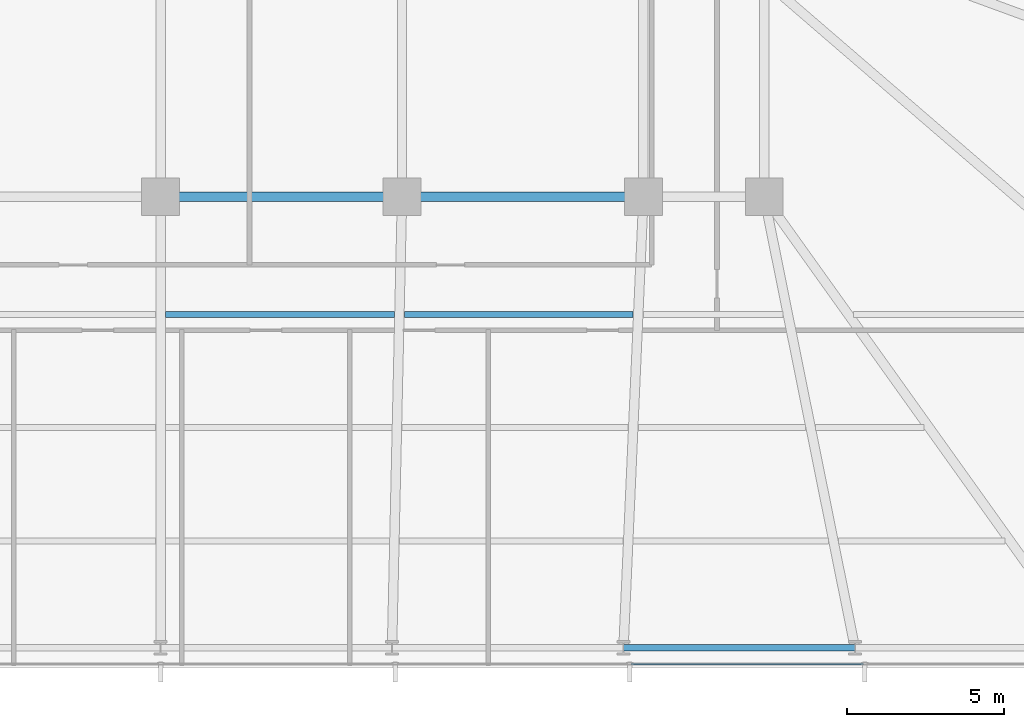
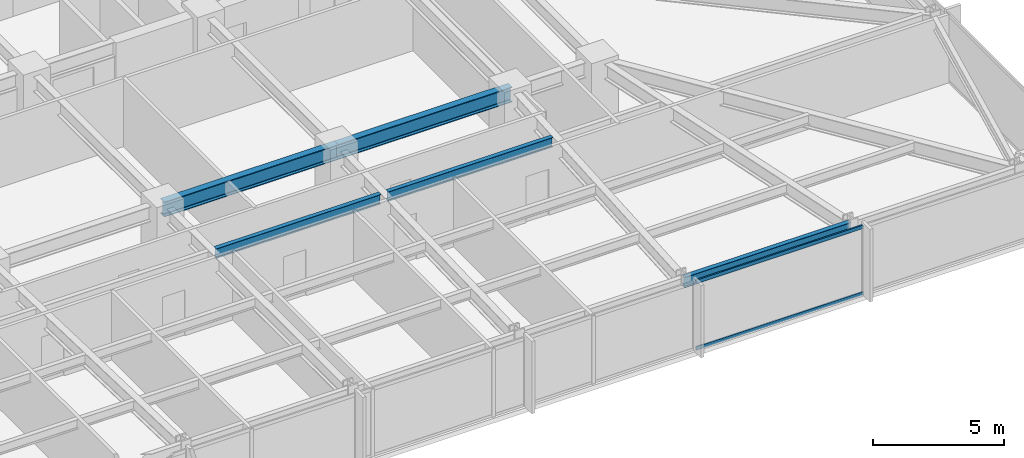
# One storey, part 13 of 32: 5 beams, 2 members, 1 element without a shape of its own.
"""IFC4 building model written with IfcOpenShell, lengths in metres."""

from ifc_helpers import new_model, si_unit, direction, frame, origin, origin_2d, place, context, subcontext, project, spatial, hollow_rectangle, i_section, extrude, material, material_profile, profile_set, type_object, element, aggregate, save


model = new_model("IFC4")

# Units and contexts
model_context = context("Model", 3, precision=1e-05, world=origin(), true_north=direction((0.0, 1.0)))
body_context = subcontext(model_context, "Body", "Model", "MODEL_VIEW")
ifc_project = project(units=[si_unit("LENGTHUNIT", "METRE"), si_unit("AREAUNIT", "SQUARE_METRE"), si_unit("VOLUMEUNIT", "CUBIC_METRE"), si_unit("PLANEANGLEUNIT", "RADIAN"), si_unit("MASSUNIT", "GRAM", prefix="KILO")], contexts=[model_context])

# Site, building, storey
site_placement = place(None, origin())
site = spatial("IfcSite", under=ifc_project, at=site_placement, CompositionType="ELEMENT")
building_placement = place(site_placement, origin())
building = spatial("IfcBuilding", under=site, at=building_placement, Name="Yelkora Congress Tower", CompositionType="ELEMENT")
storey_placement = place(building_placement, frame((0.0, 0.0, 40.60009765625)))
storey = spatial("IfcBuildingStorey", under=building, at=storey_placement, Name="L09", CompositionType="ELEMENT", Elevation=40.60009765625)

# Beams
ifc_material_1 = material(Name="Steel S355J2", Category="steel")
ifc_material_profile_1 = material_profile(ifc_material_1, i_section(OverallWidth=0.300048828125, OverallDepth=0.699951171875, WebThickness=0.01708984375, FlangeThickness=0.031982421875, FilletRadius=0.027099609375, at=origin_2d()), Name="HEB 700")
ifc_profile_set_1 = profile_set([ifc_material_profile_1], Name="Steel S355J2")
beam_type_1 = type_object("IfcBeamType", Name="BM-GIRD-HEB700", PredefinedType="BEAM", material=ifc_profile_set_1)
beam_1_placement = place(storey_placement, frame((38.39990234375, 25.199951171875, 2.829833984375), z_axis=(1.0, 0.0, 0.0), x_axis=(0.0, 1.0, 0.0)))
element("IfcBeam", 1, at=beam_1_placement, inside=storey, type_object=beam_type_1, Name="L09 Spine Grid D Girder 4", PredefinedType="BEAM", context=body_context, shape_type="SweptSolid", body=[
    extrude(i_section(OverallWidth=0.300048828125, OverallDepth=0.699951171875, WebThickness=0.01708984375, FlangeThickness=0.031982421875, FilletRadius=0.027099609375, at=origin_2d()), origin(), (0.0, 0.0, 1.0), 7.68017578125),
])
beam_2_placement = place(storey_placement, frame((46.080078125, 25.199951171875, 2.829833984375), z_axis=(1.0, 0.0, 0.0), x_axis=(0.0, 1.0, 0.0)))
element("IfcBeam", 2, at=beam_2_placement, inside=storey, type_object=beam_type_1, Name="L09 Spine Grid D Girder 5", PredefinedType="BEAM", context=body_context, shape_type="SweptSolid", body=[
    extrude(i_section(OverallWidth=0.300048828125, OverallDepth=0.699951171875, WebThickness=0.01708984375, FlangeThickness=0.031982421875, FilletRadius=0.027099609375, at=origin_2d()), origin(), (0.0, 0.0, 1.0), 7.679931640625),
])
ifc_material_profile_2 = material_profile(ifc_material_1, i_section(OverallWidth=0.18994140625, OverallDepth=0.449951171875, WebThickness=0.009521484375, FlangeThickness=0.0146484375, FilletRadius=0.02099609375, at=origin_2d()), Name="IPE 450")
ifc_profile_set_2 = profile_set([ifc_material_profile_2], Name="Steel S355J2")
beam_type_2 = type_object("IfcBeamType", Name="BM-JOIST-IPE450", PredefinedType="JOIST", material=ifc_profile_set_2)
beam_3_placement = place(storey_placement, frame((38.56005859375, 21.449951171875, 2.954833984375), z_axis=(1.0, 0.0, 0.0), x_axis=(0.0, 1.0, 0.0)))
element("IfcBeam", 3, at=beam_3_placement, inside=storey, type_object=beam_type_2, Name="L09 Composite Floor Joist 20", PredefinedType="JOIST", context=body_context, shape_type="SweptSolid", body=[
    extrude(i_section(OverallWidth=0.18994140625, OverallDepth=0.449951171875, WebThickness=0.009521484375, FlangeThickness=0.0146484375, FilletRadius=0.02099609375, at=origin_2d()), origin(), (0.0, 0.0, 1.0), 7.27685546875),
])
beam_4_placement = place(storey_placement, frame((46.156982421875, 21.449951171875, 2.954833984375), z_axis=(1.0, 0.0, 0.0), x_axis=(0.0, 1.0, 0.0)))
element("IfcBeam", 4, at=beam_4_placement, inside=storey, type_object=beam_type_2, Name="L09 Composite Floor Joist 21", PredefinedType="JOIST", context=body_context, shape_type="SweptSolid", body=[
    extrude(i_section(OverallWidth=0.18994140625, OverallDepth=0.449951171875, WebThickness=0.009521484375, FlangeThickness=0.0146484375, FilletRadius=0.02099609375, at=origin_2d()), origin(), (0.0, 0.0, 1.0), 7.277099609375),
])
ifc_material_profile_3 = material_profile(ifc_material_1, i_section(OverallWidth=0.199951171875, OverallDepth=0.5, WebThickness=0.01025390625, FlangeThickness=0.01611328125, FilletRadius=0.02099609375, at=origin_2d()), Name="IPE 500")
ifc_profile_set_3 = profile_set([ifc_material_profile_3], Name="Steel S355J2")
beam_type_3 = type_object("IfcBeamType", Name="BM-SPAN-IPE500", PredefinedType="SPANDREL", material=ifc_profile_set_3)
beam_5_placement = place(storey_placement, frame((53.125, 10.85009765625, 2.929931640625), z_axis=(1.0, 0.0, 0.0), x_axis=(0.0, 1.0, 0.0)))
element("IfcBeam", 5, at=beam_5_placement, inside=storey, type_object=beam_type_3, Name="L09 Perimeter Beam 8", PredefinedType="SPANDREL", context=body_context, shape_type="SweptSolid", body=[
    extrude(i_section(OverallWidth=0.199951171875, OverallDepth=0.5, WebThickness=0.01025390625, FlangeThickness=0.01611328125, FilletRadius=0.02099609375, at=origin_2d()), origin(), (0.0, 0.0, 1.0), 7.362548828125),
])

# Curtain wall, members
ifc_material_2 = material(Name="Anodised aluminium and insulated glass", Category="aluminium")
curtain_wall_type = type_object("IfcCurtainWallType", Name="CW-SYS-B1", PredefinedType="NOTDEFINED", material=ifc_material_2)
curtain_wall_placement = place(storey_placement, origin())
curtain_wall = element("IfcCurtainWall", 6, at=curtain_wall_placement, inside=storey, type_object=curtain_wall_type, Name="L09 Unitised Curtain Wall 20", PredefinedType="NOTDEFINED")
ifc_material_3 = material(Name="Anodised aluminium 6063-T6", Category="aluminium")
ifc_material_profile_4 = material_profile(ifc_material_3, hollow_rectangle(XDim=0.06494140625, YDim=0.159912109375, WallThickness=0.00390625, at=origin_2d()), Name="ALU 65x160x4")
ifc_profile_set_4 = profile_set([ifc_material_profile_4], Name="Anodised aluminium 6063-T6")
member_type = type_object("IfcMemberType", Name="MEM-TR-B1", PredefinedType="USERDEFINED", material=ifc_profile_set_4)
member_1_placement = place(storey_placement, frame((60.757568359375, 10.340087890625, 0.032470703125), z_axis=(-1.0, 0.0, 0.0), x_axis=(0.0, -1.0, 0.0)))
member_1 = element("IfcMember", 7, at=member_1_placement, type_object=member_type, Name="CW-B1 transom 2.1", ObjectType="TRANSOM", PredefinedType="USERDEFINED", context=body_context, shape_type="SweptSolid", body=[
    extrude(hollow_rectangle(XDim=0.06494140625, YDim=0.159912109375, WallThickness=0.00390625, at=origin_2d()), origin(), (0.0, 0.0, 1.0), 7.39013671875),
])
member_2_placement = place(storey_placement, frame((60.757568359375, 10.340087890625, 3.1474609375), z_axis=(-1.0, 0.0, 0.0), x_axis=(0.0, -1.0, 0.0)))
member_2 = element("IfcMember", 8, at=member_2_placement, type_object=member_type, Name="CW-B1 transom 2.2", ObjectType="TRANSOM", PredefinedType="USERDEFINED", context=body_context, shape_type="SweptSolid", body=[
    extrude(hollow_rectangle(XDim=0.06494140625, YDim=0.159912109375, WallThickness=0.00390625, at=origin_2d()), origin(), (0.0, 0.0, 1.0), 7.39013671875),
])
aggregate(curtain_wall, [member_1, member_2])

save(model, "model.ifc")
